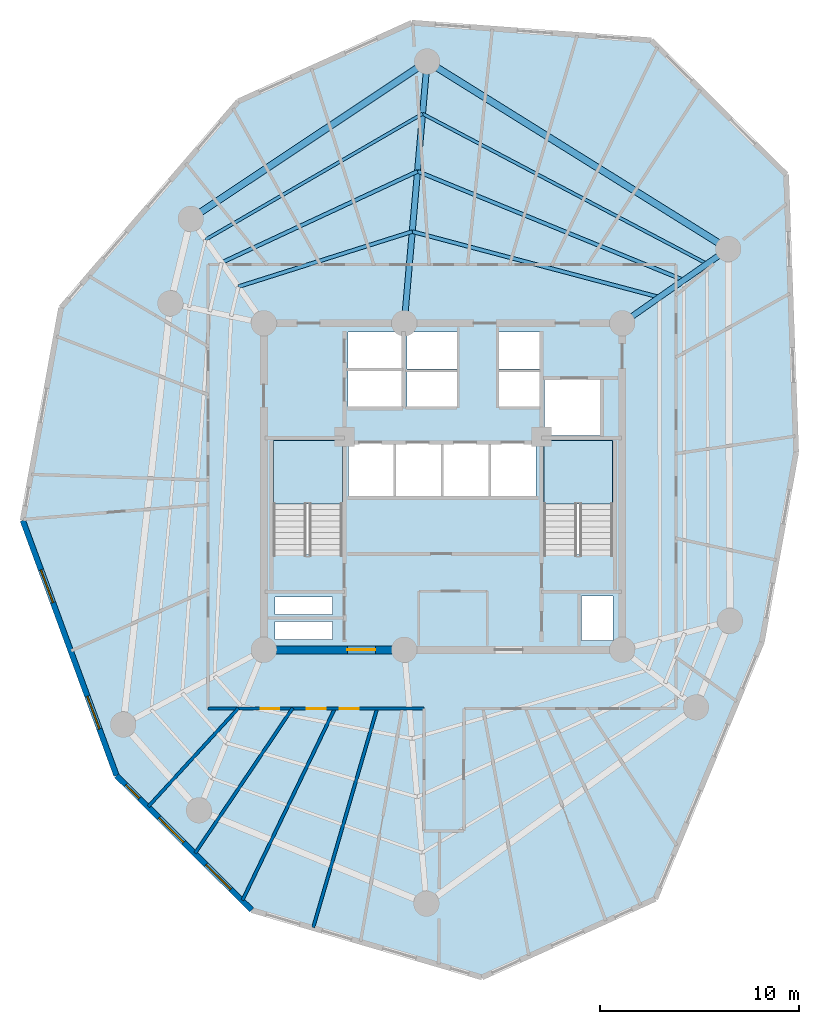
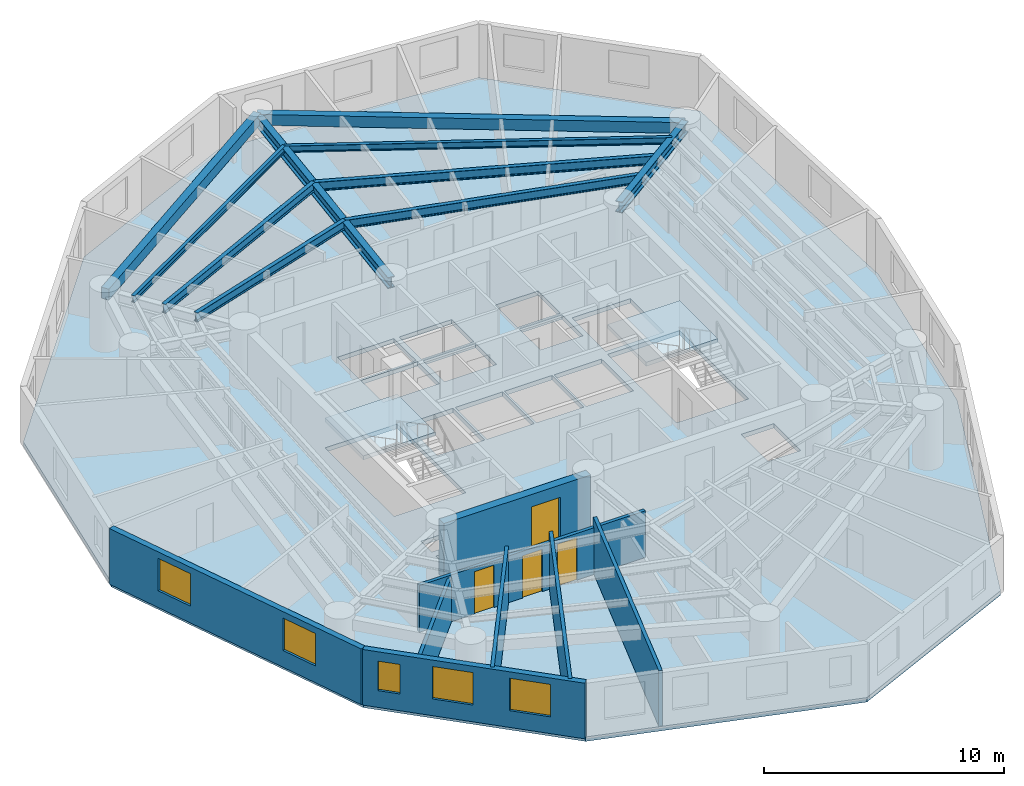
# One storey, part 2 of 8: 10 beams, 8 walls, 5 windows, 4 doors, 3 slabs, 9 openings, 2 elements without a shape of their own.
"""IFC4 building model written with IfcOpenShell, lengths in metres."""

from ifc_helpers import new_model, si_unit, direction, frame, frame_2d, origin, origin_with_axes, origin_2d, place, context, subcontext, project, spatial, polyline, rectangle, i_section, outline, extrude, source, transform, mapped, material, layer, layer_set, material_profile, profile_set, type_object, element, fill, aggregate, save


model = new_model("IFC4")

# Units and contexts
model_context = context("Model", 3, precision=1e-05, world=origin(), true_north=direction((0.0, 1.0)))
body_context = subcontext(model_context, "Body", "Model", "MODEL_VIEW")
ifc_project = project(units=[si_unit("LENGTHUNIT", "METRE"), si_unit("AREAUNIT", "SQUARE_METRE"), si_unit("VOLUMEUNIT", "CUBIC_METRE"), si_unit("PLANEANGLEUNIT", "RADIAN"), si_unit("MASSUNIT", "GRAM", prefix="KILO")], contexts=[model_context])

# Site, building, storey
site_placement = place(None, origin())
site = spatial("IfcSite", under=ifc_project, at=site_placement, CompositionType="ELEMENT")
building_placement = place(site_placement, origin())
building = spatial("IfcBuilding", under=site, at=building_placement, Name="Karkom Vertical University and Central Library", CompositionType="ELEMENT")
storey_placement = place(building_placement, frame((0.0, 0.0, 162.64990234375)))
storey = spatial("IfcBuildingStorey", under=building, at=storey_placement, Name="L46", CompositionType="ELEMENT", Elevation=162.64990234375)

# Beams
ifc_material_1 = material(Name="Precast concrete C45/55", Category="concrete")
ifc_material_profile_1 = material_profile(ifc_material_1, rectangle(XDim=0.35009765625, YDim=0.550048828125, at=origin_2d()), Name="SPB-350x550")
ifc_profile_set_1 = profile_set([ifc_material_profile_1], Name="Precast concrete C45/55")
beam_type_1 = type_object("IfcBeamType", Name="STR-BM-SP-2", PredefinedType="SPANDREL", material=ifc_profile_set_1)
shared_shape_1 = source(origin_with_axes(), body_context, "Body", "SweptSolid", [
    extrude(rectangle(XDim=0.35009765625, YDim=0.550048828125, at=origin_2d()), origin(), (0.0, 0.0, 1.0), 17.81884765625),
])
beam_1_placement = place(storey_placement, frame((42.823974609375, 38.427978515625, 2.550048828125), z_axis=(-0.848764070164, 0.528771740167, 0.0), x_axis=(-0.528771740167, -0.848764070164, 0.0)))
element("IfcBeam", 1, at=beam_1_placement, inside=storey, type_object=beam_type_1, Name="Level 46 Perimeter Spandrel Beam 02", PredefinedType="SPANDREL", context=body_context, shape_type="MappedRepresentation", body=[
    mapped(shared_shape_1, transform((0.0, 0.0, 0.0), scale=1.0)),
])
shared_shape_2 = source(origin_with_axes(), body_context, "Body", "SweptSolid", [
    extrude(rectangle(XDim=0.35009765625, YDim=0.550048828125, at=origin_2d()), origin(), (0.0, 0.0, 1.0), 14.26318359375),
])
beam_2_placement = place(storey_placement, frame((27.699951171875, 47.85009765625, 2.550048828125), z_axis=(-0.83227406272, -0.554364396876, 0.0), x_axis=(0.554364396876, -0.83227406272, 0.0)))
element("IfcBeam", 2, at=beam_2_placement, inside=storey, type_object=beam_type_1, Name="Level 46 Perimeter Spandrel Beam 03", PredefinedType="SPANDREL", context=body_context, shape_type="MappedRepresentation", body=[
    mapped(shared_shape_2, transform((0.0, 0.0, 0.0), scale=1.0)),
])
ifc_material_2 = material(Name="Steel S355", Category="steel")
ifc_material_profile_2 = material_profile(ifc_material_2, i_section(OverallWidth=0.18994140625, OverallDepth=0.449951171875, WebThickness=0.009521484375, FlangeThickness=0.0146484375, FilletRadius=0.02099609375, at=origin_2d()), Name="IPE 450")
ifc_profile_set_2 = profile_set([ifc_material_profile_2], Name="Steel S355")
beam_type_2 = type_object("IfcBeamType", Name="STR-BM-SB-IPE450", PredefinedType="BEAM", material=ifc_profile_set_2)
shared_shape_3 = source(origin_with_axes(), body_context, "Body", "SweptSolid", [
    extrude(i_section(OverallWidth=0.18994140625, OverallDepth=0.449951171875, WebThickness=0.009521484375, FlangeThickness=0.0146484375, FilletRadius=0.02099609375, at=origin_2d()), origin(), (0.0, 0.0, 1.0), 12.841552734375),
])
beam_3_placement = place(storey_placement, frame((39.36328125, 36.0048828125, 2.60009765625), z_axis=(-0.96646647674, 0.256792814032, 0.0), x_axis=(-0.256792814032, -0.96646647674, 0.0)))
element("IfcBeam", 3, at=beam_3_placement, inside=storey, type_object=beam_type_2, Name="Level 46 Secondary Composite Floor Beam 1.02", PredefinedType="BEAM", context=body_context, shape_type="MappedRepresentation", body=[
    mapped(shared_shape_3, transform((0.0, 0.0, 0.0), scale=1.0)),
])
shared_shape_4 = source(origin_with_axes(), body_context, "Body", "SweptSolid", [
    extrude(i_section(OverallWidth=0.18994140625, OverallDepth=0.449951171875, WebThickness=0.009521484375, FlangeThickness=0.0146484375, FilletRadius=0.02099609375, at=origin_2d()), origin(), (0.0, 0.0, 1.0), 9.1650390625),
])
beam_4_placement = place(storey_placement, frame((26.952392578125, 39.302490234375, 2.60009765625), z_axis=(-0.953318200449, -0.301967562319, 0.0), x_axis=(0.301967562319, -0.953318200449, 0.0)))
element("IfcBeam", 4, at=beam_4_placement, inside=storey, type_object=beam_type_2, Name="Level 46 Secondary Composite Floor Beam 1.03", PredefinedType="BEAM", context=body_context, shape_type="MappedRepresentation", body=[
    mapped(shared_shape_4, transform((0.0, 0.0, 0.0), scale=1.0)),
])
shared_shape_5 = source(origin_with_axes(), body_context, "Body", "SweptSolid", [
    extrude(i_section(OverallWidth=0.18994140625, OverallDepth=0.449951171875, WebThickness=0.009521484375, FlangeThickness=0.0146484375, FilletRadius=0.02099609375, at=origin_2d()), origin(), (0.0, 0.0, 1.0), 14.4443359375),
])
beam_5_placement = place(storey_placement, frame((40.587890625, 36.8623046875, 2.60009765625), z_axis=(-0.925675328736, 0.378318894281, 0.0), x_axis=(-0.378318894281, -0.925675328736, 0.0)))
element("IfcBeam", 5, at=beam_5_placement, inside=storey, type_object=beam_type_2, Name="Level 46 Secondary Composite Floor Beam 2.02", PredefinedType="BEAM", context=body_context, shape_type="MappedRepresentation", body=[
    mapped(shared_shape_5, transform((0.0, 0.0, 0.0), scale=1.0)),
])
shared_shape_6 = source(origin_with_axes(), body_context, "Body", "SweptSolid", [
    extrude(i_section(OverallWidth=0.18994140625, OverallDepth=0.449951171875, WebThickness=0.009521484375, FlangeThickness=0.0146484375, FilletRadius=0.02099609375, at=origin_2d()), origin(), (0.0, 0.0, 1.0), 10.86181640625),
])
beam_6_placement = place(storey_placement, frame((27.217041015625, 42.326904296875, 2.60009765625), z_axis=(-0.90649871419, -0.422208575436, 0.0), x_axis=(0.422208575436, -0.90649871419, 0.0)))
element("IfcBeam", 6, at=beam_6_placement, inside=storey, type_object=beam_type_2, Name="Level 46 Secondary Composite Floor Beam 2.03", PredefinedType="BEAM", context=body_context, shape_type="MappedRepresentation", body=[
    mapped(shared_shape_6, transform((0.0, 0.0, 0.0), scale=1.0)),
])
ifc_material_profile_3 = material_profile(ifc_material_2, i_section(OverallWidth=0.159912109375, OverallDepth=0.330078125, WebThickness=0.007568359375, FlangeThickness=0.011474609375, FilletRadius=0.01806640625, at=origin_2d()), Name="IPE 330")
ifc_profile_set_3 = profile_set([ifc_material_profile_3], Name="Steel S355")
beam_type_3 = type_object("IfcBeamType", Name="STR-BM-SB-IPE330", PredefinedType="BEAM", material=ifc_profile_set_3)
shared_shape_7 = source(origin_with_axes(), body_context, "Body", "SweptSolid", [
    extrude(i_section(OverallWidth=0.159912109375, OverallDepth=0.330078125, WebThickness=0.007568359375, FlangeThickness=0.011474609375, FilletRadius=0.01806640625, at=origin_2d()), origin(), (0.0, 0.0, 1.0), 16.155517578125),
])
beam_7_placement = place(storey_placement, frame((41.75927734375, 37.682373046875, 2.66015625), z_axis=(-0.884486447848, 0.466565883423, 0.0), x_axis=(-0.466565883423, -0.884486447848, 0.0)))
element("IfcBeam", 7, at=beam_7_placement, inside=storey, type_object=beam_type_3, Name="Level 46 Secondary Composite Floor Beam 3.02", PredefinedType="BEAM", context=body_context, shape_type="MappedRepresentation", body=[
    mapped(shared_shape_7, transform((0.0, 0.0, 0.0), scale=1.0)),
])
shared_shape_8 = source(origin_with_axes(), body_context, "Body", "SweptSolid", [
    extrude(i_section(OverallWidth=0.159912109375, OverallDepth=0.330078125, WebThickness=0.007568359375, FlangeThickness=0.011474609375, FilletRadius=0.01806640625, at=origin_2d()), origin(), (0.0, 0.0, 1.0), 12.6083984375),
])
beam_8_placement = place(storey_placement, frame((27.469970703125, 45.219970703125, 2.66015625), z_axis=(-0.865038920595, -0.50170475965, 0.0), x_axis=(0.50170475965, -0.865038920595, 0.0)))
element("IfcBeam", 8, at=beam_8_placement, inside=storey, type_object=beam_type_3, Name="Level 46 Secondary Composite Floor Beam 3.03", PredefinedType="BEAM", context=body_context, shape_type="MappedRepresentation", body=[
    mapped(shared_shape_8, transform((0.0, 0.0, 0.0), scale=1.0)),
])
ifc_material_profile_4 = material_profile(ifc_material_2, i_section(OverallWidth=0.300048828125, OverallDepth=0.550048828125, WebThickness=0.014892578125, FlangeThickness=0.029052734375, FilletRadius=0.027099609375, at=origin_2d()), Name="HE 550 B")
ifc_profile_set_4 = profile_set([ifc_material_profile_4], Name="Steel S355")
beam_type_4 = type_object("IfcBeamType", Name="STR-BM-SB-HE550", PredefinedType="USERDEFINED", material=ifc_profile_set_4)
shared_shape_9 = source(origin_with_axes(), body_context, "Body", "SweptSolid", [
    extrude(i_section(OverallWidth=0.300048828125, OverallDepth=0.550048828125, WebThickness=0.014892578125, FlangeThickness=0.029052734375, FilletRadius=0.027099609375, at=origin_2d()), origin(), (0.0, 0.0, 1.0), 6.49951171875),
])
beam_9_placement = place(storey_placement, frame((37.5, 34.699951171875, 2.550048828125), z_axis=(0.819141909878, 0.573590909517, 0.0), x_axis=(-0.573590909517, 0.819141909878, 0.0)))
element("IfcBeam", 9, at=beam_9_placement, inside=storey, type_object=beam_type_4, Name="Level 46 Radial Frame Girder 02", ObjectType="GIRDER", PredefinedType="USERDEFINED", context=body_context, shape_type="MappedRepresentation", body=[
    mapped(shared_shape_9, transform((0.0, 0.0, 0.0), scale=1.0)),
])
shared_shape_10 = source(origin_with_axes(), body_context, "Body", "SweptSolid", [
    extrude(i_section(OverallWidth=0.300048828125, OverallDepth=0.550048828125, WebThickness=0.014892578125, FlangeThickness=0.029052734375, FilletRadius=0.027099609375, at=origin_2d()), origin(), (0.0, 0.0, 1.0), 13.200439453125),
])
beam_10_placement = place(storey_placement, frame((26.550048828125, 34.699951171875, 2.550048828125), z_axis=(0.087111657164, 0.996198554098, 0.0), x_axis=(-0.996198554098, 0.087111657164, 0.0)))
element("IfcBeam", 10, at=beam_10_placement, inside=storey, type_object=beam_type_4, Name="Level 46 Radial Frame Girder 03", ObjectType="GIRDER", PredefinedType="USERDEFINED", context=body_context, shape_type="MappedRepresentation", body=[
    mapped(shared_shape_10, transform((0.0, 0.0, 0.0), scale=1.0)),
])

# Stair, slab
ifc_material_3 = material(Name="Concrete C45/55", Category="concrete")
stair_type = type_object("IfcStairType", Name="INT-STR-ST-MAIN", PredefinedType="HALF_TURN_STAIR", material=ifc_material_3)
stair_1_placement = place(storey_placement, origin())
stair_1 = element("IfcStair", 11, at=stair_1_placement, inside=storey, type_object=stair_type, Name="Level 46 Tower Protected Exit Stair ST-1", PredefinedType="HALF_TURN_STAIR")
ifc_layer_1 = layer(ifc_material_3, 0.199951171875)
ifc_layer_set_1 = layer_set([ifc_layer_1], Name="Concrete C45/55")
slab_type_1 = type_object("IfcSlabType", Name="INT-SLB-LANDING", PredefinedType="LANDING", material=ifc_layer_set_1)
slab_1_placement = place(storey_placement, frame((0.0, 0.0, 1.3251953125)))
slab_1 = element("IfcSlab", 12, at=slab_1_placement, type_object=slab_type_1, Name="ST-1 landing 1", PredefinedType="LANDING", context=body_context, shape_type="SweptSolid", body=[
    extrude(outline(polyline([(23.43994140625, 25.6298828125), (23.43994140625, 28.820068359375), (19.97998046875, 28.820068359375), (19.97998046875, 25.6298828125), (23.43994140625, 25.6298828125)])), origin(), (0.0, 0.0, 1.0), 0.199951171875),
])
aggregate(stair_1, [slab_1])

stair_2_placement = place(storey_placement, origin())
stair_2 = element("IfcStair", 13, at=stair_2_placement, inside=storey, type_object=stair_type, Name="Level 46 Tower Protected Exit Stair ST-2", PredefinedType="HALF_TURN_STAIR")
slab_2_placement = place(storey_placement, frame((0.0, 0.0, 1.3251953125)))
slab_2 = element("IfcSlab", 14, at=slab_2_placement, type_object=slab_type_1, Name="ST-2 landing 1", PredefinedType="LANDING", context=body_context, shape_type="SweptSolid", body=[
    extrude(outline(polyline([(37.02001953125, 25.6298828125), (37.02001953125, 28.820068359375), (33.56005859375, 28.820068359375), (33.56005859375, 25.6298828125), (37.02001953125, 25.6298828125)])), origin(), (0.0, 0.0, 1.0), 0.199951171875),
])
aggregate(stair_2, [slab_2])

# Slab
ifc_layer_2 = layer(ifc_material_3, 0.22509765625)
ifc_layer_set_2 = layer_set([ifc_layer_2], Name="Concrete C45/55")
slab_type_2 = type_object("IfcSlabType", Name="STR-SLB-FLR-225", PredefinedType="FLOOR", material=ifc_layer_set_2)
slab_3_placement = place(storey_placement, frame((0.0, 0.0, -0.224853515625)))
element("IfcSlab", 15, at=slab_3_placement, inside=storey, type_object=slab_type_2, Name="Level 46 Tower Structural Floor Slab", PredefinedType="FLOOR", context=body_context, shape_type="SweptSolid", body=[
    extrude(outline(polyline([(9.3193359375, 35.47900390625), (7.39013671875, 24.79931640625), (12.09912109375, 11.9814453125), (18.884521484375, 5.22998046875), (30.454345703125, 1.85009765625), (39.154541015625, 5.79248046875), (44.506591796875, 18.685302734375), (46.229248046875, 28.22021484375), (45.726318359375, 42.1708984375), (38.955322265625, 48.908203125), (26.93408203125, 49.7900390625), (18.21533203125, 45.839111328125), (9.3193359375, 35.47900390625)]), holes=[polyline([(19.97998046875, 23.0849609375), (23.43994140625, 23.0849609375), (23.43994140625, 28.820068359375), (19.97998046875, 28.820068359375), (19.97998046875, 23.0849609375)]), polyline([(33.56005859375, 23.0849609375), (37.02001953125, 23.0849609375), (37.02001953125, 28.820068359375), (33.56005859375, 28.820068359375), (33.56005859375, 23.0849609375)]), polyline([(23.75, 26.0), (26.030029296875, 26.0), (26.030029296875, 28.64990234375), (23.75, 28.64990234375), (23.75, 26.0)]), polyline([(26.1298828125, 26.0), (28.409912109375, 26.0), (28.409912109375, 28.64990234375), (26.1298828125, 28.64990234375), (26.1298828125, 26.0)]), polyline([(28.510009765625, 26.0), (30.7900390625, 26.0), (30.7900390625, 28.64990234375), (28.510009765625, 28.64990234375), (28.510009765625, 26.0)]), polyline([(30.889892578125, 26.0), (33.169921875, 26.0), (33.169921875, 28.64990234375), (30.889892578125, 28.64990234375), (30.889892578125, 26.0)]), polyline([(26.679931640625, 30.5), (29.199951171875, 30.5), (29.199951171875, 32.25), (26.679931640625, 32.25), (26.679931640625, 30.5)]), polyline([(26.679931640625, 32.39990234375), (29.199951171875, 32.39990234375), (29.199951171875, 34.25), (26.679931640625, 34.25), (26.679931640625, 32.39990234375)]), polyline([(31.300048828125, 30.5), (33.35009765625, 30.5), (33.35009765625, 32.25), (31.300048828125, 32.25), (31.300048828125, 30.5)]), polyline([(31.300048828125, 32.39990234375), (33.35009765625, 32.39990234375), (33.35009765625, 34.25), (31.300048828125, 34.25), (31.300048828125, 32.39990234375)]), polyline([(23.719970703125, 30.47998046875), (26.429931640625, 30.47998046875), (26.429931640625, 32.320068359375), (23.719970703125, 32.320068359375), (23.719970703125, 30.47998046875)]), polyline([(23.719970703125, 32.419921875), (26.429931640625, 32.419921875), (26.429931640625, 34.260009765625), (23.719970703125, 34.260009765625), (23.719970703125, 32.419921875)]), polyline([(33.60009765625, 29.050048828125), (36.39990234375, 29.050048828125), (36.39990234375, 31.85009765625), (33.60009765625, 31.85009765625), (33.60009765625, 29.050048828125)]), polyline([(20.050048828125, 18.820068359375), (22.949951171875, 18.820068359375), (22.949951171875, 19.719970703125), (20.050048828125, 19.719970703125), (20.050048828125, 18.820068359375)]), polyline([(20.050048828125, 20.06005859375), (22.949951171875, 20.06005859375), (22.949951171875, 20.9599609375), (20.050048828125, 20.9599609375), (20.050048828125, 20.06005859375)]), polyline([(35.4599609375, 18.760009765625), (37.0400390625, 18.760009765625), (37.0400390625, 21.010009765625), (35.4599609375, 21.010009765625), (35.4599609375, 18.760009765625)])]), origin(), (0.0, 0.0, 1.0), 0.224853515625),
])

# Wall, openings, windows
ifc_material_4 = material(Name="Brick-faced precast concrete C45/55", Category="masonry")
ifc_layer_3 = layer(ifc_material_4, 0.280029296875)
ifc_layer_set_3 = layer_set([ifc_layer_3], Name="Brick-faced precast concrete C45/55")
wall_type_1 = type_object("IfcWallType", Name="ENV-WL-BRK-280", PredefinedType="SOLIDWALL", material=ifc_layer_set_3)
wall_1_placement = place(storey_placement, frame((7.39013671875, 24.79931640625, 0.0), z_axis=(0.0, 0.0, 1.0), x_axis=(0.344841895518, -0.938660783828, 0.0)))
wall_1 = element("IfcWall", 16, at=wall_1_placement, inside=storey, type_object=wall_type_1, Name="Level 46 Brick-Faced Precast Facade Wall 02", PredefinedType="SOLIDWALL", context=body_context, shape_type="SweptSolid", body=[
    extrude(rectangle(XDim=13.655517578125, YDim=0.280029296875, at=frame_2d((6.82763671875, 0.0))), origin(), (0.0, 0.0, 1.0), 2.8251953125),
])
opening_1_placement = place(wall_1_placement, frame((2.647705078125, 0.0, 0.85009765625)))
opening_1 = element("IfcOpeningElement", 17, at=opening_1_placement, cuts=wall_1, Name="Opening WN-08", PredefinedType="OPENING", context=body_context, shape_type="SweptSolid", body=[
    extrude(rectangle(XDim=1.75, YDim=1.64990234375, at=frame_2d((0.875, 0.824951171875))), frame((0.0, 0.14990234375, 0.0), z_axis=(0.0, -1.0, 0.0), x_axis=(1.0, 0.0, 0.0)), (0.0, 0.0, 1.0), 0.300048828125),
])
opening_2_placement = place(wall_1_placement, frame((9.415283203125, 0.0, 0.85009765625)))
opening_2 = element("IfcOpeningElement", 18, at=opening_2_placement, cuts=wall_1, Name="Opening WN-08", PredefinedType="OPENING", context=body_context, shape_type="SweptSolid", body=[
    extrude(rectangle(XDim=1.75, YDim=1.64990234375, at=frame_2d((0.875, 0.824951171875))), frame((0.0, 0.14990234375, 0.0), z_axis=(0.0, -1.0, 0.0), x_axis=(1.0, 0.0, 0.0)), (0.0, 0.0, 1.0), 0.300048828125),
])
ifc_material_5 = material(Name="Aluminium thermal-break frame with solar-control IGU", Category="aluminium")
window_type_1 = type_object("IfcWindowType", Name="ENV-WIN-WN-08", PartitioningType="SINGLE_PANEL", PredefinedType="WINDOW", material=ifc_material_5)
shared_shape_11 = source(origin_with_axes(), body_context, "Body", "SweptSolid", [
    extrude(rectangle(XDim=1.75, YDim=1.64990234375, at=frame_2d((0.875, 0.824951171875))), frame((0.0, 0.030029296875, 0.0), z_axis=(0.0, -1.0, 0.0), x_axis=(1.0, 0.0, 0.0)), (0.0, 0.0, 1.0), 0.06005859375),
])
window_1_placement = place(opening_1_placement, origin())
window_1 = element("IfcWindow", 19, at=window_1_placement, inside=storey, type_object=window_type_1, Name="Level 46 Punched Window 2.1", OverallHeight=1.64990234375, OverallWidth=1.75, PartitioningType="SINGLE_PANEL", PredefinedType="WINDOW", context=body_context, shape_type="MappedRepresentation", body=[
    mapped(shared_shape_11, transform((0.0, 0.0, 0.0), scale=1.0)),
])
fill(opening_1, window_1)
window_2_placement = place(opening_2_placement, origin())
window_2 = element("IfcWindow", 20, at=window_2_placement, inside=storey, type_object=window_type_1, Name="Level 46 Punched Window 2.2", OverallHeight=1.64990234375, OverallWidth=1.75, PartitioningType="SINGLE_PANEL", PredefinedType="WINDOW", context=body_context, shape_type="MappedRepresentation", body=[
    mapped(shared_shape_11, transform((0.0, 0.0, 0.0), scale=1.0)),
])
fill(opening_2, window_2)

wall_2_placement = place(storey_placement, frame((12.09912109375, 11.9814453125, 0.0), z_axis=(0.0, 0.0, 1.0), x_axis=(0.708877198621, -0.705331919932, 0.0)))
wall_2 = element("IfcWall", 21, at=wall_2_placement, inside=storey, type_object=wall_type_1, Name="Level 46 Brick-Faced Precast Facade Wall 03", PredefinedType="SOLIDWALL", context=body_context, shape_type="SweptSolid", body=[
    extrude(rectangle(XDim=9.572021484375, YDim=0.280029296875, at=frame_2d((4.7861328125, 0.0))), origin(), (0.0, 0.0, 1.0), 2.8251953125),
])
opening_3_placement = place(wall_2_placement, frame((0.668212890625, 0.0, 0.85009765625)))
opening_3 = element("IfcOpeningElement", 22, at=opening_3_placement, cuts=wall_2, Name="Opening WN-12", PredefinedType="OPENING", context=body_context, shape_type="SweptSolid", body=[
    extrude(rectangle(XDim=0.949951171875, YDim=1.5, at=frame_2d((0.47509765625, 0.75))), frame((0.0, 0.14990234375, 0.0), z_axis=(0.0, -1.0, 0.0), x_axis=(1.0, 0.0, 0.0)), (0.0, 0.0, 1.0), 0.300048828125),
])
opening_4_placement = place(wall_2_placement, frame((3.0078125, 0.0, 0.85009765625)))
opening_4 = element("IfcOpeningElement", 23, at=opening_4_placement, cuts=wall_2, Name="Opening WN-08", PredefinedType="OPENING", context=body_context, shape_type="SweptSolid", body=[
    extrude(rectangle(XDim=1.75, YDim=1.64990234375, at=frame_2d((0.875, 0.824951171875))), frame((0.0, 0.14990234375, 0.0), z_axis=(0.0, -1.0, 0.0), x_axis=(1.0, 0.0, 0.0)), (0.0, 0.0, 1.0), 0.300048828125),
])
opening_5_placement = place(wall_2_placement, frame((6.33837890625, 0.0, 0.85009765625)))
opening_5 = element("IfcOpeningElement", 24, at=opening_5_placement, cuts=wall_2, Name="Opening WN-08", PredefinedType="OPENING", context=body_context, shape_type="SweptSolid", body=[
    extrude(rectangle(XDim=1.75, YDim=1.64990234375, at=frame_2d((0.875, 0.824951171875))), frame((0.0, 0.14990234375, 0.0), z_axis=(0.0, -1.0, 0.0), x_axis=(1.0, 0.0, 0.0)), (0.0, 0.0, 1.0), 0.300048828125),
])
window_type_2 = type_object("IfcWindowType", Name="ENV-WIN-WN-12", PartitioningType="SINGLE_PANEL", PredefinedType="WINDOW", material=ifc_material_5)
shared_shape_12 = source(origin_with_axes(), body_context, "Body", "SweptSolid", [
    extrude(rectangle(XDim=0.949951171875, YDim=1.5, at=frame_2d((0.47509765625, 0.75))), frame((0.0, 0.030029296875, 0.0), z_axis=(0.0, -1.0, 0.0), x_axis=(1.0, 0.0, 0.0)), (0.0, 0.0, 1.0), 0.06005859375),
])
window_3_placement = place(opening_3_placement, origin())
window_3 = element("IfcWindow", 25, at=window_3_placement, inside=storey, type_object=window_type_2, Name="Level 46 Punched Window 3.1", OverallHeight=1.5, OverallWidth=0.949951171875, PartitioningType="SINGLE_PANEL", PredefinedType="WINDOW", context=body_context, shape_type="MappedRepresentation", body=[
    mapped(shared_shape_12, transform((0.0, 0.0, 0.0), scale=1.0)),
])
fill(opening_3, window_3)
window_4_placement = place(opening_4_placement, origin())
window_4 = element("IfcWindow", 26, at=window_4_placement, inside=storey, type_object=window_type_1, Name="Level 46 Punched Window 3.2", OverallHeight=1.64990234375, OverallWidth=1.75, PartitioningType="SINGLE_PANEL", PredefinedType="WINDOW", context=body_context, shape_type="MappedRepresentation", body=[
    mapped(shared_shape_11, transform((0.0, 0.0, 0.0), scale=1.0)),
])
fill(opening_4, window_4)
window_5_placement = place(opening_5_placement, origin())
window_5 = element("IfcWindow", 27, at=window_5_placement, inside=storey, type_object=window_type_1, Name="Level 46 Punched Window 3.3", OverallHeight=1.64990234375, OverallWidth=1.75, PartitioningType="SINGLE_PANEL", PredefinedType="WINDOW", context=body_context, shape_type="MappedRepresentation", body=[
    mapped(shared_shape_11, transform((0.0, 0.0, 0.0), scale=1.0)),
])
fill(opening_5, window_5)

# Wall
ifc_material_6 = material(Name="Insulated metal-stud drywall 160mm", Category="gypsum")
ifc_layer_4 = layer(ifc_material_6, 0.159912109375)
ifc_layer_set_4 = layer_set([ifc_layer_4], Name="Insulated metal-stud drywall 160mm")
wall_type_2 = type_object("IfcWallType", Name="INT-WL-COR-160", PredefinedType="PARTITIONING", material=ifc_layer_set_4)
wall_3_placement = place(storey_placement, frame((25.1943359375, 15.37890625, 0.0), z_axis=(0.0, 0.0, 1.0), x_axis=(-0.279952660007, -0.960013806231, 0.0)))
element("IfcWall", 28, at=wall_3_placement, inside=storey, type_object=wall_type_2, Name="Level 46 Interior Partition Wall L46-PW-007", PredefinedType="PARTITIONING", context=body_context, shape_type="SweptSolid", body=[
    extrude(rectangle(XDim=11.486083984375, YDim=0.159912109375, at=frame_2d((5.7431640625, 0.0))), origin(), (0.0, 0.0, 1.0), 2.8251953125),
])

# Wall, openings, doors
wall_4_placement = place(storey_placement, frame((27.550048828125, 15.35009765625, 0.0), z_axis=(0.0, 0.0, 1.0), x_axis=(-1.0, 0.0, 0.0)))
wall_4 = element("IfcWall", 29, at=wall_4_placement, inside=storey, type_object=wall_type_2, Name="Level 46 Interior Partition Wall L46-CORW-CW-001", PredefinedType="PARTITIONING", context=body_context, shape_type="SweptSolid", body=[
    extrude(rectangle(XDim=10.85009765625, YDim=0.159912109375, at=frame_2d((5.425048828125, 0.0))), origin(), (0.0, 0.0, 1.0), 2.375),
])
opening_6_placement = place(wall_4_placement, frame((7.267578125, 0.0, 0.0)))
opening_6 = element("IfcOpeningElement", 30, at=opening_6_placement, cuts=wall_4, Name="Opening D-RM1", PredefinedType="OPENING", context=body_context, shape_type="SweptSolid", body=[
    extrude(rectangle(XDim=0.949951171875, YDim=2.14990234375, at=frame_2d((0.47509765625, 1.074951171875))), frame((0.0, 0.08984375, 0.0), z_axis=(0.0, -1.0, 0.0), x_axis=(1.0, 0.0, 0.0)), (0.0, 0.0, 1.0), 0.179931640625),
])
opening_7_placement = place(wall_4_placement, frame((4.949951171875, 0.0, 0.0)))
opening_7 = element("IfcOpeningElement", 31, at=opening_7_placement, cuts=wall_4, Name="Opening D-RM1", PredefinedType="OPENING", context=body_context, shape_type="SweptSolid", body=[
    extrude(rectangle(XDim=0.949951171875, YDim=2.14990234375, at=frame_2d((0.47509765625, 1.074951171875))), frame((0.0, 0.08984375, 0.0), z_axis=(0.0, -1.0, 0.0), x_axis=(1.0, 0.0, 0.0)), (0.0, 0.0, 1.0), 0.179931640625),
])
opening_8_placement = place(wall_4_placement, frame((3.282470703125, 0.0, 0.0)))
opening_8 = element("IfcOpeningElement", 32, at=opening_8_placement, cuts=wall_4, Name="Opening D-RM1", PredefinedType="OPENING", context=body_context, shape_type="SweptSolid", body=[
    extrude(rectangle(XDim=0.949951171875, YDim=2.14990234375, at=frame_2d((0.47509765625, 1.074951171875))), frame((0.0, 0.08984375, 0.0), z_axis=(0.0, -1.0, 0.0), x_axis=(1.0, 0.0, 0.0)), (0.0, 0.0, 1.0), 0.179931640625),
])
ifc_material_7 = material(Name="Solid-core oak veneer door", Category="wood")
door_type_1 = type_object("IfcDoorType", Name="INT-DR-RM1", OperationType="NOTDEFINED", PredefinedType="DOOR", material=ifc_material_7)
shared_shape_13 = source(origin_with_axes(), body_context, "Body", "SweptSolid", [
    extrude(rectangle(XDim=0.949951171875, YDim=2.14990234375, at=frame_2d((0.47509765625, 1.074951171875))), frame((0.0, 0.02490234375, 0.0), z_axis=(0.0, -1.0, 0.0), x_axis=(1.0, 0.0, 0.0)), (0.0, 0.0, 1.0), 0.050048828125),
])
door_1_placement = place(opening_6_placement, origin())
door_1 = element("IfcDoor", 33, at=door_1_placement, inside=storey, type_object=door_type_1, Name="Level 46 Room Entry Door 030", OperationType="SINGLE_SWING_RIGHT", OverallHeight=2.14990234375, OverallWidth=0.949951171875, PredefinedType="DOOR", context=body_context, shape_type="MappedRepresentation", body=[
    mapped(shared_shape_13, transform((0.0, 0.0, 0.0), scale=1.0)),
])
fill(opening_6, door_1)
door_2_placement = place(opening_7_placement, origin())
door_2 = element("IfcDoor", 34, at=door_2_placement, inside=storey, type_object=door_type_1, Name="Level 46 Room Entry Door 040", OperationType="SINGLE_SWING_LEFT", OverallHeight=2.14990234375, OverallWidth=0.949951171875, PredefinedType="DOOR", context=body_context, shape_type="MappedRepresentation", body=[
    mapped(shared_shape_13, transform((0.0, 0.0, 0.0), scale=1.0)),
])
fill(opening_7, door_2)
door_3_placement = place(opening_8_placement, origin())
door_3 = element("IfcDoor", 35, at=door_3_placement, inside=storey, type_object=door_type_1, Name="Level 46 Room Entry Door 050", OperationType="SINGLE_SWING_RIGHT", OverallHeight=2.14990234375, OverallWidth=0.949951171875, PredefinedType="DOOR", context=body_context, shape_type="MappedRepresentation", body=[
    mapped(shared_shape_13, transform((0.0, 0.0, 0.0), scale=1.0)),
])
fill(opening_8, door_3)

# Walls
wall_5_placement = place(storey_placement, frame((23.08251953125, 15.390380859375, 0.0), z_axis=(0.0, 0.0, 1.0), x_axis=(-0.433938094177, -0.900942689866, 0.0)))
element("IfcWall", 36, at=wall_5_placement, inside=storey, type_object=wall_type_2, Name="Level 46 Interior Partition Wall L46-PW-006", PredefinedType="PARTITIONING", context=body_context, shape_type="SweptSolid", body=[
    extrude(rectangle(XDim=10.72802734375, YDim=0.159912109375, at=frame_2d((5.364013671875, 0.0))), origin(), (0.0, 0.0, 1.0), 2.8251953125),
])
wall_6_placement = place(storey_placement, frame((20.947998046875, 15.375, 0.0), z_axis=(0.0, 0.0, 1.0), x_axis=(-0.557961935119, -0.82986654286, 0.0)))
element("IfcWall", 37, at=wall_6_placement, inside=storey, type_object=wall_type_2, Name="Level 46 Interior Partition Wall L46-PW-005", PredefinedType="PARTITIONING", context=body_context, shape_type="SweptSolid", body=[
    extrude(rectangle(XDim=8.780517578125, YDim=0.159912109375, at=frame_2d((4.39013671875, 0.0))), origin(), (0.0, 0.0, 1.0), 2.8251953125),
])
wall_7_placement = place(storey_placement, frame((18.22509765625, 15.3720703125, 0.0), z_axis=(0.0, 0.0, 1.0), x_axis=(-0.675498710577, -0.737361167955, 0.0)))
element("IfcWall", 38, at=wall_7_placement, inside=storey, type_object=wall_type_2, Name="Level 46 Interior Partition Wall L46-PW-004", PredefinedType="PARTITIONING", context=body_context, shape_type="SweptSolid", body=[
    extrude(rectangle(XDim=6.705078125, YDim=0.159912109375, at=frame_2d((3.3525390625, 0.0))), origin(), (0.0, 0.0, 1.0), 2.275146484375),
])

# Wall, opening, door
ifc_material_8 = material(Name="Concrete C50/60", Category="concrete")
ifc_layer_5 = layer(ifc_material_8, 0.39990234375)
ifc_layer_set_5 = layer_set([ifc_layer_5], Name="Concrete C50/60")
wall_type_3 = type_object("IfcWallType", Name="STR-WL-CW-400", PredefinedType="SHEAR", material=ifc_layer_set_5)
wall_8_placement = place(storey_placement, frame((19.5, 18.300048828125, 0.0), z_axis=(0.0, 0.0, 1.0), x_axis=(1.0, 0.0, 0.0)))
wall_8 = element("IfcWall", 39, at=wall_8_placement, inside=storey, type_object=wall_type_3, Name="Level 46 Central Core Shear Wall SW1", PredefinedType="SHEAR", context=body_context, shape_type="SweptSolid", body=[
    extrude(rectangle(XDim=7.050048828125, YDim=0.39990234375, at=frame_2d((3.52490234375, 0.0))), origin(), (0.0, 0.0, 1.0), 2.8251953125),
])
opening_9_placement = place(wall_8_placement, frame((4.199951171875, 0.0, 0.0)))
opening_9 = element("IfcOpeningElement", 40, at=opening_9_placement, cuts=wall_8, Name="Opening FD-CLB", PredefinedType="OPENING", context=body_context, shape_type="SweptSolid", body=[
    extrude(rectangle(XDim=1.39990234375, YDim=2.199951171875, at=frame_2d((0.699951171875, 1.10009765625))), frame((0.0, 0.2099609375, 0.0), z_axis=(0.0, -1.0, 0.0), x_axis=(1.0, 0.0, 0.0)), (0.0, 0.0, 1.0), 0.419921875),
])
ifc_material_9 = material(Name="Painted steel fire door", Category="steel")
door_type_2 = type_object("IfcDoorType", Name="INT-DR-CLB", OperationType="DOUBLE_DOOR_SINGLE_SWING", PredefinedType="DOOR", material=ifc_material_9)
shared_shape_14 = source(origin_with_axes(), body_context, "Body", "SweptSolid", [
    extrude(rectangle(XDim=1.39990234375, YDim=2.199951171875, at=frame_2d((0.699951171875, 1.10009765625))), frame((0.0, 0.02490234375, 0.0), z_axis=(0.0, -1.0, 0.0), x_axis=(1.0, 0.0, 0.0)), (0.0, 0.0, 1.0), 0.050048828125),
])
door_4_placement = place(opening_9_placement, origin())
door_4 = element("IfcDoor", 41, at=door_4_placement, inside=storey, type_object=door_type_2, Name="Level 46 South Core Lobby West Exit Door", OperationType="DOUBLE_DOOR_SINGLE_SWING", OverallHeight=2.199951171875, OverallWidth=1.39990234375, PredefinedType="DOOR", context=body_context, shape_type="MappedRepresentation", body=[
    mapped(shared_shape_14, transform((0.0, 0.0, 0.0), scale=1.0)),
])
fill(opening_9, door_4)

save(model, "model.ifc")
